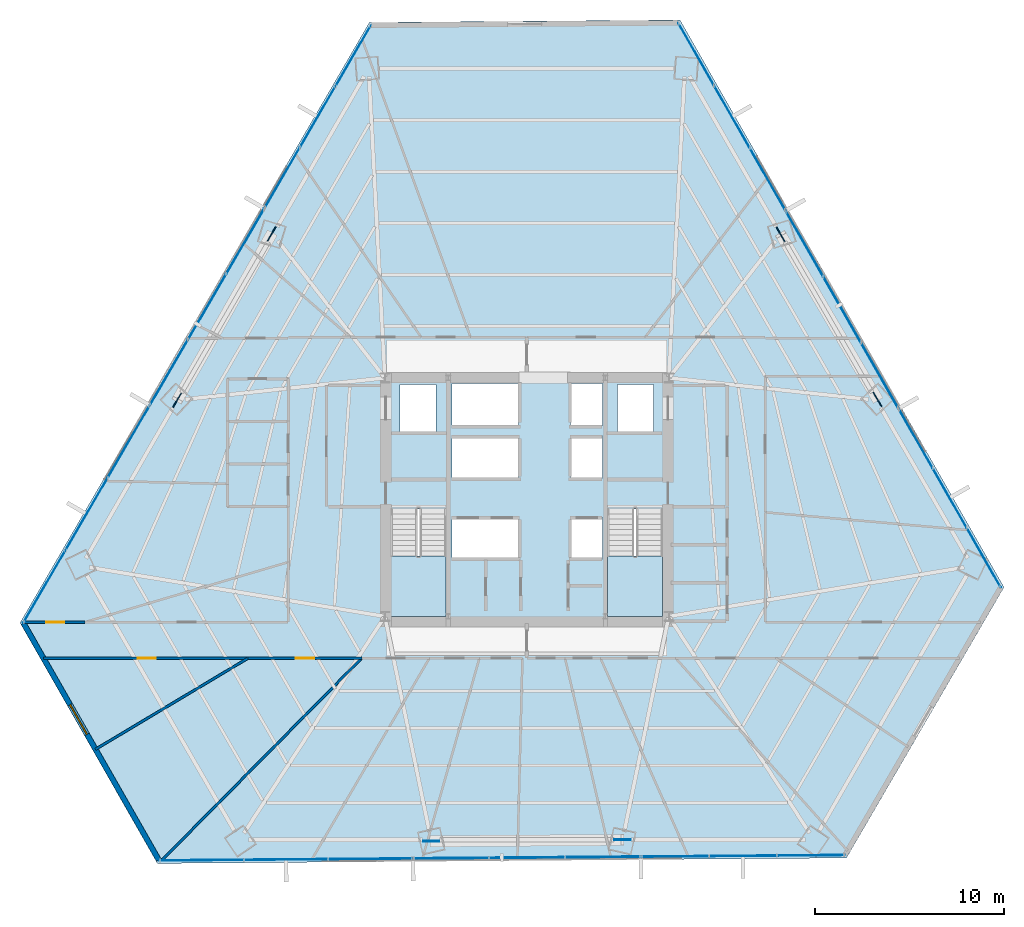
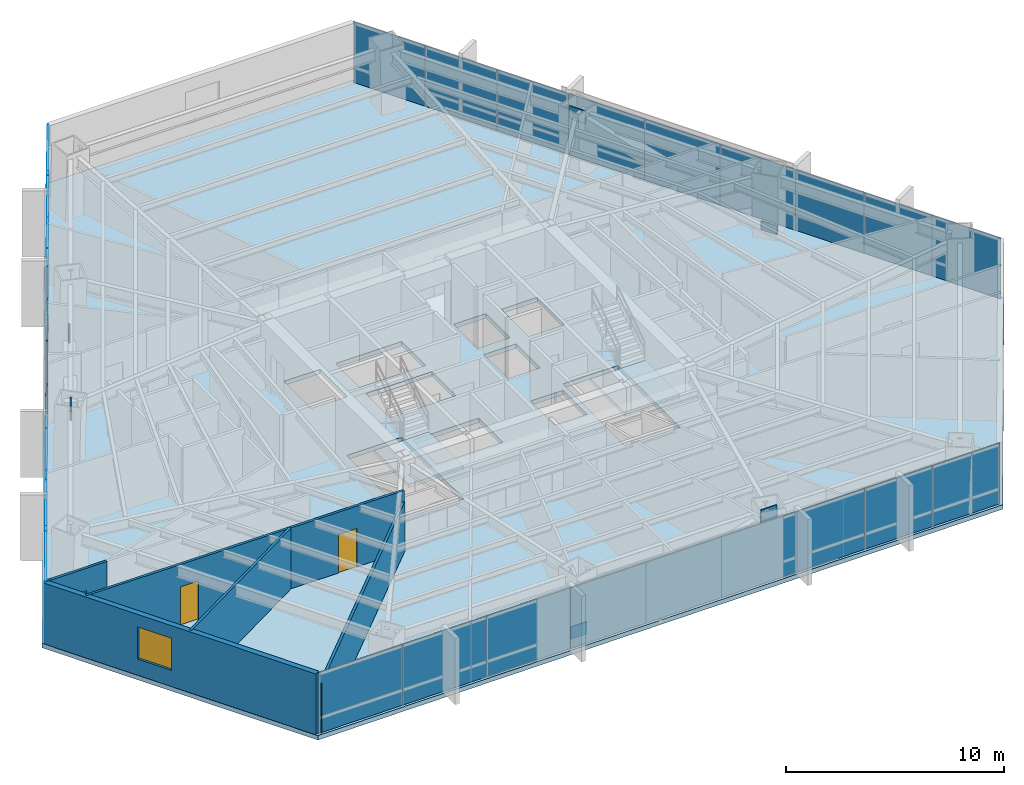
# One storey, part 29 of 36: 33 plates, 6 walls, 3 doors, 3 slabs, 1 window, 4 openings, 11 elements without a shape of their own.
"""IFC4 building model written with IfcOpenShell, lengths in metres."""

from ifc_helpers import new_model, si_unit, direction, frame, frame_2d, origin, origin_2d, place, context, subcontext, project, spatial, polyline, rectangle, outline, extrude, source, transform, mapped, material, layer, layer_set, type_object, type_shapes, element, fill, aggregate, save


model = new_model("IFC4")

# Units and contexts
model_context = context("Model", 3, precision=1e-05, world=origin(), true_north=direction((0.0, 1.0)))
body_context = subcontext(model_context, "Body", "Model", "MODEL_VIEW")
ifc_project = project(units=[si_unit("LENGTHUNIT", "METRE"), si_unit("AREAUNIT", "SQUARE_METRE"), si_unit("VOLUMEUNIT", "CUBIC_METRE"), si_unit("PLANEANGLEUNIT", "RADIAN"), si_unit("MASSUNIT", "GRAM", prefix="KILO")], contexts=[model_context])

# Site, building, storey
site_placement = place(None, origin())
site = spatial("IfcSite", under=ifc_project, at=site_placement, CompositionType="ELEMENT")
building_placement = place(site_placement, origin())
building = spatial("IfcBuilding", under=site, at=building_placement, Name="Caelisora Broadcast Tower", CompositionType="ELEMENT")
storey_placement = place(building_placement, frame((0.0, 0.0, 64.10009765625)))
storey = spatial("IfcBuildingStorey", under=building, at=storey_placement, Name="L16", CompositionType="ELEMENT", Elevation=64.10009765625)

# Slab
ifc_material_1 = material(Name="Concrete 40 MPa (AS 3600 N40)", Category="concrete")
ifc_layer_1 = layer(ifc_material_1, 0.25, Name="Concrete 40 MPa (AS 3600 N40)")
ifc_layer_set_1 = layer_set([ifc_layer_1], Name="Concrete 40 MPa (AS 3600 N40)")
slab_type_1 = type_object("IfcSlabType", Name="SL04", PredefinedType="FLOOR", material=ifc_layer_set_1)
slab_1_placement = place(storey_placement, frame((0.0, 0.0, -0.25)))
element("IfcSlab", 1, at=slab_1_placement, inside=storey, type_object=slab_type_1, Name="L16 suspended floor SL04", PredefinedType="FLOOR", context=body_context, shape_type="SweptSolid", body=[
    extrude(outline(polyline([(46.092041015625, 48.907958984375), (29.680908203125, 48.777099609375), (11.22802734375, 17.06103515625), (18.487060546875, 4.35205078125), (54.889892578125, 4.64208984375), (63.208984375, 18.94091796875), (46.092041015625, 48.907958984375)]), holes=[polyline([(30.820068359375, 17.39990234375), (33.739990234375, 17.39990234375), (33.739990234375, 23.080078125), (30.820068359375, 23.080078125), (30.820068359375, 17.39990234375)]), polyline([(42.260009765625, 17.39990234375), (45.179931640625, 17.39990234375), (45.179931640625, 23.080078125), (42.260009765625, 23.080078125), (42.260009765625, 17.39990234375)]), polyline([(42.800048828125, 27.14990234375), (44.699951171875, 27.14990234375), (44.699951171875, 29.64990234375), (42.800048828125, 29.64990234375), (42.800048828125, 27.14990234375)]), polyline([(40.300048828125, 20.429931640625), (42.0, 20.429931640625), (42.0, 22.6298828125), (40.300048828125, 22.6298828125), (40.300048828125, 20.429931640625)]), polyline([(40.300048828125, 24.719970703125), (42.0, 24.719970703125), (42.0, 26.919921875), (40.300048828125, 26.919921875), (40.300048828125, 24.719970703125)]), polyline([(40.300048828125, 27.5), (42.0, 27.5), (42.0, 29.699951171875), (40.300048828125, 29.699951171875), (40.300048828125, 27.5)]), polyline([(34.050048828125, 20.429931640625), (37.550048828125, 20.429931640625), (37.550048828125, 22.6298828125), (34.050048828125, 22.6298828125), (34.050048828125, 20.429931640625)]), polyline([(34.050048828125, 24.719970703125), (37.550048828125, 24.719970703125), (37.550048828125, 26.919921875), (34.050048828125, 26.919921875), (34.050048828125, 24.719970703125)]), polyline([(34.050048828125, 27.5), (37.550048828125, 27.5), (37.550048828125, 29.699951171875), (34.050048828125, 29.699951171875), (34.050048828125, 27.5)]), polyline([(31.300048828125, 27.14990234375), (33.199951171875, 27.14990234375), (33.199951171875, 29.64990234375), (31.300048828125, 29.64990234375), (31.300048828125, 27.14990234375)])]), origin(), (0.0, 0.0, 1.0), 0.25),
])

# Stair, slab
stair_type_1 = type_object("IfcStairType", Name="ST-1", PredefinedType="HALF_TURN_STAIR", material=ifc_material_1)
stair_1_placement = place(storey_placement, origin())
stair_1 = element("IfcStair", 2, at=stair_1_placement, inside=storey, type_object=stair_type_1, Name="L16 West Fire-Isolated Tower Stair", PredefinedType="HALF_TURN_STAIR")
ifc_layer_2 = layer(ifc_material_1, 0.199951171875, Name="Concrete 40 MPa (AS 3600 N40)")
ifc_layer_set_2 = layer_set([ifc_layer_2], Name="Concrete 40 MPa (AS 3600 N40)")
slab_type_2 = type_object("IfcSlabType", Name="STL-1", PredefinedType="LANDING", material=ifc_layer_set_2)
slab_2_placement = place(storey_placement, frame((0.0, 0.0, 1.625)))
slab_2 = element("IfcSlab", 3, at=slab_2_placement, type_object=slab_type_2, Name="ST-1 landing 1", PredefinedType="LANDING", context=body_context, shape_type="SweptSolid", body=[
    extrude(outline(polyline([(30.820068359375, 20.580078125), (30.820068359375, 17.39990234375), (33.739990234375, 17.39990234375), (33.739990234375, 20.580078125), (30.820068359375, 20.580078125)])), origin(), (0.0, 0.0, 1.0), 0.199951171875),
])
aggregate(stair_1, [slab_2])

stair_type_2 = type_object("IfcStairType", Name="ST-2", PredefinedType="HALF_TURN_STAIR", material=ifc_material_1)
stair_2_placement = place(storey_placement, origin())
stair_2 = element("IfcStair", 4, at=stair_2_placement, inside=storey, type_object=stair_type_2, Name="L16 East Fire-Isolated Tower Stair", PredefinedType="HALF_TURN_STAIR")
slab_3_placement = place(storey_placement, frame((0.0, 0.0, 1.625)))
slab_3 = element("IfcSlab", 5, at=slab_3_placement, type_object=slab_type_2, Name="ST-2 landing 1", PredefinedType="LANDING", context=body_context, shape_type="SweptSolid", body=[
    extrude(outline(polyline([(42.260009765625, 20.580078125), (42.260009765625, 17.39990234375), (45.179931640625, 17.39990234375), (45.179931640625, 20.580078125), (42.260009765625, 20.580078125)])), origin(), (0.0, 0.0, 1.0), 0.199951171875),
])
aggregate(stair_2, [slab_3])

# Plates
ifc_material_2 = material(Name="Steel Grade 350 L15 (AS/NZS 3678)", Category="steel")
ifc_layer_3 = layer(ifc_material_2, 0.050048828125, Name="Steel Grade 350 L15 (AS/NZS 3678)")
ifc_layer_set_3 = layer_set([ifc_layer_3], Name="Steel Grade 350 L15 (AS/NZS 3678)")
plate_type_1 = type_object("IfcPlateType", Name="GP03", PredefinedType="USERDEFINED", material=ifc_layer_set_3)
shared_shape_1 = source(origin(), body_context, "Body", "SweptSolid", [
    extrude(rectangle(XDim=0.85009765625, YDim=0.050048828125, at=origin_2d()), origin(), (0.0, 0.0, 1.0), 0.699951171875),
])
type_shapes(plate_type_1, [shared_shape_1])
for number, where, z_axis, x_axis, name in (
    (6, (24.51904296875, 37.6044921875, -0.22998046875), (0.0, 0.0, 1.0), (-0.5, -0.866025403784, 0.0), "L16 gusset plate GP03 (ND-L16-C02B)"),
    (7, (19.5322265625, 28.822265625, 2.72998046875), (0.0, 0.0, 1.0), (-0.5, -0.866025403784, 0.0), "L16 gusset plate GP03 (ND-L16-C03T)"),
    (8, (32.958740234375, 5.52294921875, -0.22998046875), (0.0, 0.0, 1.0), (1.0, 0.0, 0.0), "L16 gusset plate GP03 (ND-L16-C06B)"),
    (9, (43.0576171875, 5.59521484375, 2.72998046875), (0.0, 0.0, 1.0), (1.0, 0.0, 0.0), "L16 gusset plate GP03 (ND-L16-C07T)"),
    (10, (56.522216796875, 28.87255859375, -0.22998046875), (0.0, 0.0, 1.0), (-0.5, 0.866025403784, 0.0), "L16 gusset plate GP03 (ND-L16-C10B)"),
    (11, (51.41015625, 37.58251953125, 2.72998046875), (0.0, 0.0, 1.0), (-0.5, 0.866025403784, 0.0), "L16 gusset plate GP03 (ND-L16-C11T)"),
):
    element("IfcPlate", number, at=place(storey_placement, frame(where, z_axis=z_axis, x_axis=x_axis)), inside=storey, type_object=plate_type_1, Name=name, ObjectType="GUSSET PLATE", PredefinedType="USERDEFINED", context=body_context, shape_type="MappedRepresentation", body=[
        mapped(shared_shape_1, transform((0.0, 0.0, 0.0), scale=1.0)),
    ])

# Curtain wall, plates
ifc_material_3 = material(Name="Unitised Aluminium and Low-E Glass Curtain Wall", Category="glass")
curtain_wall_type_1 = type_object("IfcCurtainWallType", Name="CW-Z1", PredefinedType="NOTDEFINED", material=ifc_material_3)
curtain_wall_1_placement = place(storey_placement, origin())
curtain_wall_1 = element("IfcCurtainWall", 12, at=curtain_wall_1_placement, inside=storey, type_object=curtain_wall_type_1, Name="L16 curtain wall CW-Z1", PredefinedType="NOTDEFINED")
ifc_material_4 = material(Name="Double Glazed Low-E Argon IGU", Category="glass")
ifc_layer_4 = layer(ifc_material_4, 0.035888671875, Name="Double Glazed Low-E Argon IGU")
ifc_layer_set_4 = layer_set([ifc_layer_4], Name="Double Glazed Low-E Argon IGU")
plate_type_2 = type_object("IfcPlateType", Name="CWP-02", PredefinedType="CURTAIN_PANEL", material=ifc_layer_set_4)
shared_shape_2 = source(origin(), body_context, "Body", "SweptSolid", [
    extrude(rectangle(XDim=3.806640625, YDim=0.035888671875, at=origin_2d()), origin(), (0.0, 0.0, 1.0), 3.39990234375),
])
plate_1_placement = place(storey_placement, frame((46.94921875, 47.104248046875, 0.0), z_axis=(0.0, 0.0, 1.0), x_axis=(0.496064966839, -0.868285407383, 0.0)))
plate_1 = element("IfcPlate", 13, at=plate_1_placement, type_object=plate_type_2, Name="L16-CW-B01 glazed panel #1", PredefinedType="CURTAIN_PANEL", context=body_context, shape_type="MappedRepresentation", body=[
    mapped(shared_shape_2, transform((0.0, 0.0, 0.0), scale=1.0)),
])
plate_2_placement = place(storey_placement, frame((48.837158203125, 43.798828125, 0.0), z_axis=(0.0, 0.0, 1.0), x_axis=(0.496064966839, -0.868285407383, 0.0)))
plate_2 = element("IfcPlate", 14, at=plate_2_placement, type_object=plate_type_2, Name="L16-CW-B01 glazed panel #2", PredefinedType="CURTAIN_PANEL", context=body_context, shape_type="MappedRepresentation", body=[
    mapped(shared_shape_2, transform((0.0, 0.0, 0.0), scale=1.0)),
])
plate_3_placement = place(storey_placement, frame((50.725341796875, 40.493408203125, 0.0), z_axis=(0.0, 0.0, 1.0), x_axis=(0.496064966839, -0.868285407383, 0.0)))
plate_3 = element("IfcPlate", 15, at=plate_3_placement, type_object=plate_type_2, Name="L16-CW-B01 glazed panel #3", PredefinedType="CURTAIN_PANEL", context=body_context, shape_type="MappedRepresentation", body=[
    mapped(shared_shape_2, transform((0.0, 0.0, 0.0), scale=1.0)),
])
aggregate(curtain_wall_1, [plate_1, plate_2, plate_3])

ifc_material_5 = material(Name="Unitised Aluminium Insulated Shadow-Box Spandrel Curtain Wall", Category="aluminium")
curtain_wall_type_2 = type_object("IfcCurtainWallType", Name="CW-SP1", PredefinedType="NOTDEFINED", material=ifc_material_5)
curtain_wall_2_placement = place(storey_placement, origin())
curtain_wall_2 = element("IfcCurtainWall", 16, at=curtain_wall_2_placement, inside=storey, type_object=curtain_wall_type_2, Name="L16 curtain wall CW-SP1", PredefinedType="NOTDEFINED")
ifc_material_6 = material(Name="Insulated Terracotta Shadow-Box Spandrel Panel", Category="aluminium")
ifc_layer_5 = layer(ifc_material_6, 0.0439453125, Name="Insulated Terracotta Shadow-Box Spandrel Panel")
ifc_layer_set_5 = layer_set([ifc_layer_5], Name="Insulated Terracotta Shadow-Box Spandrel Panel")
plate_type_3 = type_object("IfcPlateType", Name="CWP-10", PredefinedType="CURTAIN_PANEL", material=ifc_layer_set_5)
shared_shape_3 = source(origin(), body_context, "Body", "SweptSolid", [
    extrude(rectangle(XDim=4.007568359375, YDim=0.0439453125, at=origin_2d()), origin(), (0.0, 0.0, 1.0), 3.39990234375),
])
plate_4_placement = place(storey_placement, frame((52.668212890625, 37.092041015625, 0.0), z_axis=(0.0, 0.0, 1.0), x_axis=(0.496064966839, -0.868285407383, 0.0)))
plate_4 = element("IfcPlate", 17, at=plate_4_placement, type_object=plate_type_3, Name="L16-CW-B02 spandrel panel #1", PredefinedType="CURTAIN_PANEL", context=body_context, shape_type="MappedRepresentation", body=[
    mapped(shared_shape_3, transform((0.0, 0.0, 0.0), scale=1.0)),
])
plate_5_placement = place(storey_placement, frame((54.656005859375, 33.6123046875, 0.0), z_axis=(0.0, 0.0, 1.0), x_axis=(0.496064966839, -0.868285407383, 0.0)))
plate_5 = element("IfcPlate", 18, at=plate_5_placement, type_object=plate_type_3, Name="L16-CW-B02 spandrel panel #2", PredefinedType="CURTAIN_PANEL", context=body_context, shape_type="MappedRepresentation", body=[
    mapped(shared_shape_3, transform((0.0, 0.0, 0.0), scale=1.0)),
])
plate_6_placement = place(storey_placement, frame((56.643798828125, 30.132568359375, 0.0), z_axis=(0.0, 0.0, 1.0), x_axis=(0.496064966839, -0.868285407383, 0.0)))
plate_6 = element("IfcPlate", 19, at=plate_6_placement, type_object=plate_type_3, Name="L16-CW-B02 spandrel panel #3", PredefinedType="CURTAIN_PANEL", context=body_context, shape_type="MappedRepresentation", body=[
    mapped(shared_shape_3, transform((0.0, 0.0, 0.0), scale=1.0)),
])
aggregate(curtain_wall_2, [plate_4, plate_5, plate_6])

curtain_wall_3_placement = place(storey_placement, origin())
curtain_wall_3 = element("IfcCurtainWall", 20, at=curtain_wall_3_placement, inside=storey, type_object=curtain_wall_type_2, Name="L16 curtain wall CW-SP1", PredefinedType="NOTDEFINED")
plate_7_placement = place(storey_placement, frame((19.09814453125, 30.28955078125, 0.0), z_axis=(0.0, 0.0, 1.0), x_axis=(0.50286909456, 0.864362582332, 0.0)))
plate_7 = element("IfcPlate", 21, at=plate_7_placement, type_object=plate_type_3, Name="L16-CW-B10 spandrel panel #1", PredefinedType="CURTAIN_PANEL", context=body_context, shape_type="MappedRepresentation", body=[
    mapped(shared_shape_3, transform((0.0, 0.0, 0.0), scale=1.0)),
])
plate_8_placement = place(storey_placement, frame((21.113525390625, 33.75341796875, 0.0), z_axis=(0.0, 0.0, 1.0), x_axis=(0.50286909456, 0.864362582332, 0.0)))
plate_8 = element("IfcPlate", 22, at=plate_8_placement, type_object=plate_type_3, Name="L16-CW-B10 spandrel panel #2", PredefinedType="CURTAIN_PANEL", context=body_context, shape_type="MappedRepresentation", body=[
    mapped(shared_shape_3, transform((0.0, 0.0, 0.0), scale=1.0)),
])
plate_9_placement = place(storey_placement, frame((23.12890625, 37.21728515625, 0.0), z_axis=(0.0, 0.0, 1.0), x_axis=(0.50286909456, 0.864362582332, 0.0)))
plate_9 = element("IfcPlate", 23, at=plate_9_placement, type_object=plate_type_3, Name="L16-CW-B10 spandrel panel #3", PredefinedType="CURTAIN_PANEL", context=body_context, shape_type="MappedRepresentation", body=[
    mapped(shared_shape_3, transform((0.0, 0.0, 0.0), scale=1.0)),
])
aggregate(curtain_wall_3, [plate_7, plate_8, plate_9])

curtain_wall_4_placement = place(storey_placement, origin())
curtain_wall_4 = element("IfcCurtainWall", 24, at=curtain_wall_4_placement, inside=storey, type_object=curtain_wall_type_1, Name="L16 curtain wall CW-Z1", PredefinedType="NOTDEFINED")
shared_shape_4 = source(origin(), body_context, "Body", "SweptSolid", [
    extrude(rectangle(XDim=3.62451171875, YDim=0.035888671875, at=origin_2d()), origin(), (0.0, 0.0, 1.0), 3.39990234375),
])
plate_10_placement = place(storey_placement, frame((58.54150390625, 26.810302734375, 0.0), z_axis=(0.0, 0.0, 1.0), x_axis=(0.496064966839, -0.868285407383, 0.0)))
plate_10 = element("IfcPlate", 25, at=plate_10_placement, type_object=plate_type_2, Name="L16-CW-B03 glazed panel #1", PredefinedType="CURTAIN_PANEL", context=body_context, shape_type="MappedRepresentation", body=[
    mapped(shared_shape_4, transform((0.0, 0.0, 0.0), scale=1.0)),
])
plate_11_placement = place(storey_placement, frame((60.33935546875, 23.6630859375, 0.0), z_axis=(0.0, 0.0, 1.0), x_axis=(0.496064966839, -0.868285407383, 0.0)))
plate_11 = element("IfcPlate", 26, at=plate_11_placement, type_object=plate_type_2, Name="L16-CW-B03 glazed panel #2", PredefinedType="CURTAIN_PANEL", context=body_context, shape_type="MappedRepresentation", body=[
    mapped(shared_shape_4, transform((0.0, 0.0, 0.0), scale=1.0)),
])
plate_12_placement = place(storey_placement, frame((62.13720703125, 20.515625, 0.0), z_axis=(0.0, 0.0, 1.0), x_axis=(0.496064966839, -0.868285407383, 0.0)))
plate_12 = element("IfcPlate", 27, at=plate_12_placement, type_object=plate_type_2, Name="L16-CW-B03 glazed panel #3", PredefinedType="CURTAIN_PANEL", context=body_context, shape_type="MappedRepresentation", body=[
    mapped(shared_shape_4, transform((0.0, 0.0, 0.0), scale=1.0)),
])
aggregate(curtain_wall_4, [plate_10, plate_11, plate_12])

curtain_wall_5_placement = place(storey_placement, origin())
curtain_wall_5 = element("IfcCurtainWall", 28, at=curtain_wall_5_placement, inside=storey, type_object=curtain_wall_type_1, Name="L16 curtain wall CW-Z1", PredefinedType="NOTDEFINED")
shared_shape_5 = source(origin(), body_context, "Body", "SweptSolid", [
    extrude(rectangle(XDim=3.591796875, YDim=0.035888671875, at=origin_2d()), origin(), (0.0, 0.0, 1.0), 3.39990234375),
])
plate_13_placement = place(storey_placement, frame((53.007080078125, 4.776611328125, 0.0), z_axis=(0.0, 0.0, 1.0), x_axis=(-0.99996777165, -0.00802842831, 0.0)))
plate_13 = element("IfcPlate", 29, at=plate_13_placement, type_object=plate_type_2, Name="L16-CW-B05 glazed panel #1", PredefinedType="CURTAIN_PANEL", context=body_context, shape_type="MappedRepresentation", body=[
    mapped(shared_shape_5, transform((0.0, 0.0, 0.0), scale=1.0)),
])
plate_14_placement = place(storey_placement, frame((49.415283203125, 4.748291015625, 0.0), z_axis=(0.0, 0.0, 1.0), x_axis=(-0.99996777165, -0.00802842831, 0.0)))
plate_14 = element("IfcPlate", 30, at=plate_14_placement, type_object=plate_type_2, Name="L16-CW-B05 glazed panel #2", PredefinedType="CURTAIN_PANEL", context=body_context, shape_type="MappedRepresentation", body=[
    mapped(shared_shape_5, transform((0.0, 0.0, 0.0), scale=1.0)),
])
plate_15_placement = place(storey_placement, frame((45.82373046875, 4.719482421875, 0.0), z_axis=(0.0, 0.0, 1.0), x_axis=(-0.99996777165, -0.00802842831, 0.0)))
plate_15 = element("IfcPlate", 31, at=plate_15_placement, type_object=plate_type_2, Name="L16-CW-B05 glazed panel #3", PredefinedType="CURTAIN_PANEL", context=body_context, shape_type="MappedRepresentation", body=[
    mapped(shared_shape_5, transform((0.0, 0.0, 0.0), scale=1.0)),
])
aggregate(curtain_wall_5, [plate_13, plate_14, plate_15])

curtain_wall_6_placement = place(storey_placement, origin())
curtain_wall_6 = element("IfcCurtainWall", 32, at=curtain_wall_6_placement, inside=storey, type_object=curtain_wall_type_2, Name="L16 curtain wall CW-SP1", PredefinedType="NOTDEFINED")
shared_shape_6 = source(origin(), body_context, "Body", "SweptSolid", [
    extrude(rectangle(XDim=4.00732421875, YDim=0.0439453125, at=origin_2d()), origin(), (0.0, 0.0, 1.0), 3.39990234375),
])
type_shapes(plate_type_3, [shared_shape_3, shared_shape_6])
plate_16_placement = place(storey_placement, frame((42.01416015625, 4.689208984375, 0.0), z_axis=(0.0, 0.0, 1.0), x_axis=(-0.99996777165, -0.00802842831, 0.0)))
plate_16 = element("IfcPlate", 33, at=plate_16_placement, type_object=plate_type_3, Name="L16-CW-B06 spandrel panel #1", PredefinedType="CURTAIN_PANEL", context=body_context, shape_type="MappedRepresentation", body=[
    mapped(shared_shape_6, transform((0.0, 0.0, 0.0), scale=1.0)),
])
plate_17_placement = place(storey_placement, frame((38.0068359375, 4.657470703125, 0.0), z_axis=(0.0, 0.0, 1.0), x_axis=(-0.99996777165, -0.00802842831, 0.0)))
plate_17 = element("IfcPlate", 34, at=plate_17_placement, type_object=plate_type_3, Name="L16-CW-B06 spandrel panel #2", PredefinedType="CURTAIN_PANEL", context=body_context, shape_type="MappedRepresentation", body=[
    mapped(shared_shape_6, transform((0.0, 0.0, 0.0), scale=1.0)),
])
plate_18_placement = place(storey_placement, frame((33.99951171875, 4.62548828125, 0.0), z_axis=(0.0, 0.0, 1.0), x_axis=(-0.99996777165, -0.00802842831, 0.0)))
plate_18 = element("IfcPlate", 35, at=plate_18_placement, type_object=plate_type_3, Name="L16-CW-B06 spandrel panel #3", PredefinedType="CURTAIN_PANEL", context=body_context, shape_type="MappedRepresentation", body=[
    mapped(shared_shape_6, transform((0.0, 0.0, 0.0), scale=1.0)),
])
aggregate(curtain_wall_6, [plate_16, plate_17, plate_18])

curtain_wall_7_placement = place(storey_placement, origin())
curtain_wall_7 = element("IfcCurtainWall", 36, at=curtain_wall_7_placement, inside=storey, type_object=curtain_wall_type_1, Name="L16 curtain wall CW-Z1", PredefinedType="NOTDEFINED")
shared_shape_7 = source(origin(), body_context, "Body", "SweptSolid", [
    extrude(rectangle(XDim=4.470703125, YDim=0.035888671875, at=origin_2d()), origin(), (0.0, 0.0, 1.0), 3.39990234375),
])
plate_19_placement = place(storey_placement, frame((29.75048828125, 4.591796875, 0.0), z_axis=(0.0, 0.0, 1.0), x_axis=(-0.99996777165, -0.00802842831, 0.0)))
plate_19 = element("IfcPlate", 37, at=plate_19_placement, type_object=plate_type_2, Name="L16-CW-B07 glazed panel #1", PredefinedType="CURTAIN_PANEL", context=body_context, shape_type="MappedRepresentation", body=[
    mapped(shared_shape_7, transform((0.0, 0.0, 0.0), scale=1.0)),
])
plate_20_placement = place(storey_placement, frame((25.280029296875, 4.556396484375, 0.0), z_axis=(0.0, 0.0, 1.0), x_axis=(-0.99996777165, -0.00802842831, 0.0)))
plate_20 = element("IfcPlate", 38, at=plate_20_placement, type_object=plate_type_2, Name="L16-CW-B07 glazed panel #2", PredefinedType="CURTAIN_PANEL", context=body_context, shape_type="MappedRepresentation", body=[
    mapped(shared_shape_7, transform((0.0, 0.0, 0.0), scale=1.0)),
])
plate_21_placement = place(storey_placement, frame((20.809326171875, 4.520751953125, 0.0), z_axis=(0.0, 0.0, 1.0), x_axis=(-0.99996777165, -0.00802842831, 0.0)))
plate_21 = element("IfcPlate", 39, at=plate_21_placement, type_object=plate_type_2, Name="L16-CW-B07 glazed panel #3", PredefinedType="CURTAIN_PANEL", context=body_context, shape_type="MappedRepresentation", body=[
    mapped(shared_shape_7, transform((0.0, 0.0, 0.0), scale=1.0)),
])
aggregate(curtain_wall_7, [plate_19, plate_20, plate_21])

curtain_wall_8_placement = place(storey_placement, origin())
curtain_wall_8 = element("IfcCurtainWall", 40, at=curtain_wall_8_placement, inside=storey, type_object=curtain_wall_type_1, Name="L16 curtain wall CW-Z1", PredefinedType="NOTDEFINED")
shared_shape_8 = source(origin(), body_context, "Body", "SweptSolid", [
    extrude(rectangle(XDim=4.4306640625, YDim=0.035888671875, at=origin_2d()), origin(), (0.0, 0.0, 1.0), 3.39990234375),
])
plate_22_placement = place(storey_placement, frame((12.51513671875, 18.974853515625, 0.0), z_axis=(0.0, 0.0, 1.0), x_axis=(0.50286909456, 0.864362582332, 0.0)))
plate_22 = element("IfcPlate", 41, at=plate_22_placement, type_object=plate_type_2, Name="L16-CW-B09 glazed panel #1", PredefinedType="CURTAIN_PANEL", context=body_context, shape_type="MappedRepresentation", body=[
    mapped(shared_shape_8, transform((0.0, 0.0, 0.0), scale=1.0)),
])
plate_23_placement = place(storey_placement, frame((14.7431640625, 22.804443359375, 0.0), z_axis=(0.0, 0.0, 1.0), x_axis=(0.50286909456, 0.864362582332, 0.0)))
plate_23 = element("IfcPlate", 42, at=plate_23_placement, type_object=plate_type_2, Name="L16-CW-B09 glazed panel #2", PredefinedType="CURTAIN_PANEL", context=body_context, shape_type="MappedRepresentation", body=[
    mapped(shared_shape_8, transform((0.0, 0.0, 0.0), scale=1.0)),
])
plate_24_placement = place(storey_placement, frame((16.971435546875, 26.634033203125, 0.0), z_axis=(0.0, 0.0, 1.0), x_axis=(0.50286909456, 0.864362582332, 0.0)))
plate_24 = element("IfcPlate", 43, at=plate_24_placement, type_object=plate_type_2, Name="L16-CW-B09 glazed panel #3", PredefinedType="CURTAIN_PANEL", context=body_context, shape_type="MappedRepresentation", body=[
    mapped(shared_shape_8, transform((0.0, 0.0, 0.0), scale=1.0)),
])
aggregate(curtain_wall_8, [plate_22, plate_23, plate_24])

curtain_wall_9_placement = place(storey_placement, origin())
curtain_wall_9 = element("IfcCurtainWall", 44, at=curtain_wall_9_placement, inside=storey, type_object=curtain_wall_type_1, Name="L16 curtain wall CW-Z1", PredefinedType="NOTDEFINED")
shared_shape_9 = source(origin(), body_context, "Body", "SweptSolid", [
    extrude(rectangle(XDim=3.729248046875, YDim=0.035888671875, at=origin_2d()), origin(), (0.0, 0.0, 1.0), 3.39990234375),
])
type_shapes(plate_type_2, [shared_shape_2, shared_shape_4, shared_shape_5, shared_shape_7, shared_shape_8, shared_shape_9])
plate_25_placement = place(storey_placement, frame((25.079345703125, 40.569580078125, 0.0), z_axis=(0.0, 0.0, 1.0), x_axis=(0.50286909456, 0.864362582332, 0.0)))
plate_25 = element("IfcPlate", 45, at=plate_25_placement, type_object=plate_type_2, Name="L16-CW-B11 glazed panel #1", PredefinedType="CURTAIN_PANEL", context=body_context, shape_type="MappedRepresentation", body=[
    mapped(shared_shape_9, transform((0.0, 0.0, 0.0), scale=1.0)),
])
plate_26_placement = place(storey_placement, frame((26.954833984375, 43.79296875, 0.0), z_axis=(0.0, 0.0, 1.0), x_axis=(0.50286909456, 0.864362582332, 0.0)))
plate_26 = element("IfcPlate", 46, at=plate_26_placement, type_object=plate_type_2, Name="L16-CW-B11 glazed panel #2", PredefinedType="CURTAIN_PANEL", context=body_context, shape_type="MappedRepresentation", body=[
    mapped(shared_shape_9, transform((0.0, 0.0, 0.0), scale=1.0)),
])
plate_27_placement = place(storey_placement, frame((28.830322265625, 47.016357421875, 0.0), z_axis=(0.0, 0.0, 1.0), x_axis=(0.50286909456, 0.864362582332, 0.0)))
plate_27 = element("IfcPlate", 47, at=plate_27_placement, type_object=plate_type_2, Name="L16-CW-B11 glazed panel #3", PredefinedType="CURTAIN_PANEL", context=body_context, shape_type="MappedRepresentation", body=[
    mapped(shared_shape_9, transform((0.0, 0.0, 0.0), scale=1.0)),
])
aggregate(curtain_wall_9, [plate_25, plate_26, plate_27])

# Wall, opening, window
ifc_material_7 = material(Name="Insulated Terracotta Spandrel Wall System", Category="masonry")
ifc_layer_6 = layer(ifc_material_7, 0.280029296875, Name="Insulated Terracotta Spandrel Wall System")
ifc_layer_set_6 = layer_set([ifc_layer_6], Name="Insulated Terracotta Spandrel Wall System")
wall_type_1 = type_object("IfcWallType", Name="EW1", PredefinedType="STANDARD", material=ifc_layer_set_6)
wall_1_placement = place(storey_placement, frame((18.55908203125, 4.529052734375, 0.0), z_axis=(0.0, 0.0, 1.0), x_axis=(-0.496003831899, 0.868320331871, 0.0)))
wall_1 = element("IfcWall", 48, at=wall_1_placement, inside=storey, type_object=wall_type_1, Name="L16 exterior envelope wall EW1", PredefinedType="STANDARD", context=body_context, shape_type="SweptSolid", body=[
    extrude(rectangle(XDim=14.401123046875, YDim=0.280029296875, at=frame_2d((7.20068359375, 0.0))), origin(), (0.0, 0.0, 1.0), 3.39990234375),
])
opening_1_placement = place(wall_1_placement, frame((7.64990234375, 0.0, 0.89990234375)))
opening_1 = element("IfcOpeningElement", 49, at=opening_1_placement, cuts=wall_1, Name="Opening W01", PredefinedType="OPENING", context=body_context, shape_type="SweptSolid", body=[
    extrude(rectangle(XDim=1.800048828125, YDim=1.800048828125, at=frame_2d((0.89990234375, 0.89990234375))), frame((0.0, 0.152099609375, 0.0), z_axis=(0.0, -1.0, 0.0), x_axis=(1.0, 0.0, 0.0)), (0.0, 0.0, 1.0), 0.303955078125),
])
ifc_material_8 = material(Name="Double Glazed Terracotta-Framed Vision Window", Category="glass")
window_type = type_object("IfcWindowType", Name="W01", PartitioningType="SINGLE_PANEL", PredefinedType="WINDOW", material=ifc_material_8)
window_placement = place(opening_1_placement, origin())
window = element("IfcWindow", 50, at=window_placement, inside=storey, type_object=window_type, Name="L16 window W01 (L16-WN-CH4)", OverallHeight=1.800048828125, OverallWidth=1.800048828125, PartitioningType="SINGLE_PANEL", PredefinedType="WINDOW", context=body_context, shape_type="SweptSolid", body=[
    extrude(rectangle(XDim=1.800048828125, YDim=1.800048828125, at=frame_2d((0.89990234375, 0.89990234375))), frame((0.0, 0.030029296875, 0.0), z_axis=(0.0, -1.0, 0.0), x_axis=(1.0, 0.0, 0.0)), (0.0, 0.0, 1.0), 0.06005859375),
])
fill(opening_1, window)

# Wall
ifc_material_9 = material(Name="Acoustic Steel-Stud Plasterboard Partition", Category="gypsum")
ifc_layer_7 = layer(ifc_material_9, 0.1298828125, Name="Acoustic Steel-Stud Plasterboard Partition")
ifc_layer_set_7 = layer_set([ifc_layer_7], Name="Acoustic Steel-Stud Plasterboard Partition")
wall_type_2 = type_object("IfcWallType", Name="PW3", PredefinedType="PARTITIONING", material=ifc_layer_set_7)
wall_2_placement = place(storey_placement, frame((18.69775390625, 4.498779296875, 0.0), z_axis=(0.0, 0.0, 1.0), x_axis=(0.70347217858, 0.710722796851, 0.0)))
element("IfcWall", 51, at=wall_2_placement, inside=storey, type_object=wall_type_2, Name="L16 internal partition PW3", PredefinedType="PARTITIONING", context=body_context, shape_type="SweptSolid", body=[
    extrude(rectangle(XDim=15.05126953125, YDim=0.1298828125, at=frame_2d((7.525634765625, 0.0))), origin(), (0.0, 0.0, 1.0), 2.78271484375),
])

# Wall, opening, door
wall_3_placement = place(storey_placement, frame((12.4580078125, 15.199951171875, 0.0), z_axis=(0.0, 0.0, 1.0), x_axis=(1.0, 0.0, 0.0)))
wall_3 = element("IfcWall", 52, at=wall_3_placement, inside=storey, type_object=wall_type_2, Name="L16 internal partition PW3", PredefinedType="PARTITIONING", context=body_context, shape_type="SweptSolid", body=[
    extrude(rectangle(XDim=10.81689453125, YDim=0.1298828125, at=frame_2d((5.408447265625, 0.0))), origin(), (0.0, 0.0, 1.0), 3.39990234375),
])
opening_2_placement = place(wall_3_placement, frame((4.98193359375, 0.0, 0.0)))
opening_2 = element("IfcOpeningElement", 53, at=opening_2_placement, cuts=wall_3, Name="Opening D01", PredefinedType="OPENING", context=body_context, shape_type="SweptSolid", body=[
    extrude(rectangle(XDim=0.9599609375, YDim=2.14990234375, at=frame_2d((0.47998046875, 1.074951171875))), frame((0.0, 0.076904296875, 0.0), z_axis=(0.0, -1.0, 0.0), x_axis=(1.0, 0.0, 0.0)), (0.0, 0.0, 1.0), 0.15380859375),
])
ifc_material_10 = material(Name="Solid-Core Timber Acoustic Office Door", Category="wood")
door_type = type_object("IfcDoorType", Name="D01", OperationType="NOTDEFINED", PredefinedType="DOOR", material=ifc_material_10)
door_1_placement = place(opening_2_placement, origin())
door_1 = element("IfcDoor", 54, at=door_1_placement, inside=storey, type_object=door_type, Name="L16 door D01 (L16-DR-P39D1)", OperationType="SINGLE_SWING_LEFT", OverallHeight=2.14990234375, OverallWidth=0.9599609375, PredefinedType="DOOR", context=body_context, shape_type="SweptSolid", body=[
    extrude(rectangle(XDim=0.9599609375, YDim=2.14990234375, at=frame_2d((0.47998046875, 1.074951171875))), frame((0.0, 0.02490234375, 0.0), z_axis=(0.0, -1.0, 0.0), x_axis=(1.0, 0.0, 0.0)), (0.0, 0.0, 1.0), 0.050048828125),
])
fill(opening_2, door_1)

# Wall
wall_4_placement = place(storey_placement, frame((15.211669921875, 10.37890625, 0.0), z_axis=(0.0, 0.0, 1.0), x_axis=(0.85844998116, 0.512897289764, 0.0)))
element("IfcWall", 55, at=wall_4_placement, inside=storey, type_object=wall_type_2, Name="L16 internal partition PW3", PredefinedType="PARTITIONING", context=body_context, shape_type="SweptSolid", body=[
    extrude(rectangle(XDim=9.393798828125, YDim=0.1298828125, at=frame_2d((4.69677734375, 0.0))), origin(), (0.0, 0.0, 1.0), 3.39990234375),
])

# Wall, opening, door
wall_5_placement = place(storey_placement, frame((23.284912109375, 15.199951171875, 0.0), z_axis=(0.0, 0.0, 1.0), x_axis=(1.0, 0.0, 0.0)))
wall_5 = element("IfcWall", 56, at=wall_5_placement, inside=storey, type_object=wall_type_2, Name="L16 internal partition PW3", PredefinedType="PARTITIONING", context=body_context, shape_type="SweptSolid", body=[
    extrude(rectangle(XDim=6.0, YDim=0.1298828125, at=frame_2d((3.0, 0.0))), origin(), (0.0, 0.0, 1.0), 3.39990234375),
])
opening_3_placement = place(wall_5_placement, frame((2.52001953125, 0.0, 0.0)))
opening_3 = element("IfcOpeningElement", 57, at=opening_3_placement, cuts=wall_5, Name="Opening D01", PredefinedType="OPENING", context=body_context, shape_type="SweptSolid", body=[
    extrude(rectangle(XDim=0.9599609375, YDim=2.14990234375, at=frame_2d((0.47998046875, 1.074951171875))), frame((0.0, 0.076904296875, 0.0), z_axis=(0.0, -1.0, 0.0), x_axis=(1.0, 0.0, 0.0)), (0.0, 0.0, 1.0), 0.15380859375),
])
door_2_placement = place(opening_3_placement, origin())
door_2 = element("IfcDoor", 58, at=door_2_placement, inside=storey, type_object=door_type, Name="L16 door D01 (L16-DR-P55D1)", OperationType="SINGLE_SWING_LEFT", OverallHeight=2.14990234375, OverallWidth=0.9599609375, PredefinedType="DOOR", context=body_context, shape_type="SweptSolid", body=[
    extrude(rectangle(XDim=0.9599609375, YDim=2.14990234375, at=frame_2d((0.47998046875, 1.074951171875))), frame((0.0, 0.02490234375, 0.0), z_axis=(0.0, -1.0, 0.0), x_axis=(1.0, 0.0, 0.0)), (0.0, 0.0, 1.0), 0.050048828125),
])
fill(opening_3, door_2)

wall_6_placement = place(storey_placement, frame((11.41845703125, 17.10009765625, 0.0), z_axis=(0.0, 0.0, 1.0), x_axis=(1.0, 0.0, 0.0)))
wall_6 = element("IfcWall", 59, at=wall_6_placement, inside=storey, type_object=wall_type_2, Name="L16 internal partition PW3", PredefinedType="PARTITIONING", context=body_context, shape_type="SweptSolid", body=[
    extrude(rectangle(XDim=3.236572265625, YDim=0.1298828125, at=frame_2d((1.6181640625, 0.0))), origin(), (0.0, 0.0, 1.0), 3.39990234375),
])
opening_4_placement = place(wall_6_placement, frame((1.19189453125, 0.0, 0.0)))
opening_4 = element("IfcOpeningElement", 60, at=opening_4_placement, cuts=wall_6, Name="Opening D01", PredefinedType="OPENING", context=body_context, shape_type="SweptSolid", body=[
    extrude(rectangle(XDim=0.9599609375, YDim=2.14990234375, at=frame_2d((0.47998046875, 1.074951171875))), frame((0.0, 0.076904296875, 0.0), z_axis=(0.0, -1.0, 0.0), x_axis=(1.0, 0.0, 0.0)), (0.0, 0.0, 1.0), 0.15380859375),
])
door_3_placement = place(opening_4_placement, origin())
door_3 = element("IfcDoor", 61, at=door_3_placement, inside=storey, type_object=door_type, Name="L16 door D01 (L16-DR-P63D1)", OperationType="SINGLE_SWING_LEFT", OverallHeight=2.14990234375, OverallWidth=0.9599609375, PredefinedType="DOOR", context=body_context, shape_type="SweptSolid", body=[
    extrude(rectangle(XDim=0.9599609375, YDim=2.14990234375, at=frame_2d((0.47998046875, 1.074951171875))), frame((0.0, 0.02490234375, 0.0), z_axis=(0.0, -1.0, 0.0), x_axis=(1.0, 0.0, 0.0)), (0.0, 0.0, 1.0), 0.050048828125),
])
fill(opening_4, door_3)

save(model, "model.ifc")
